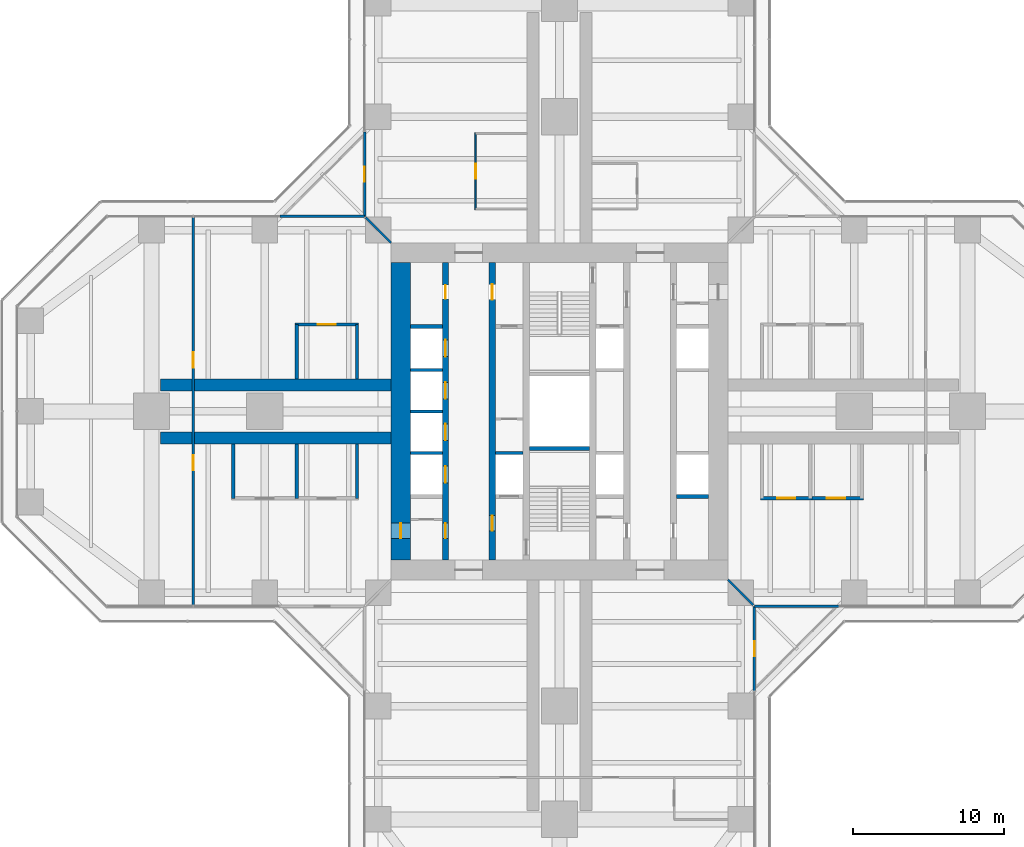
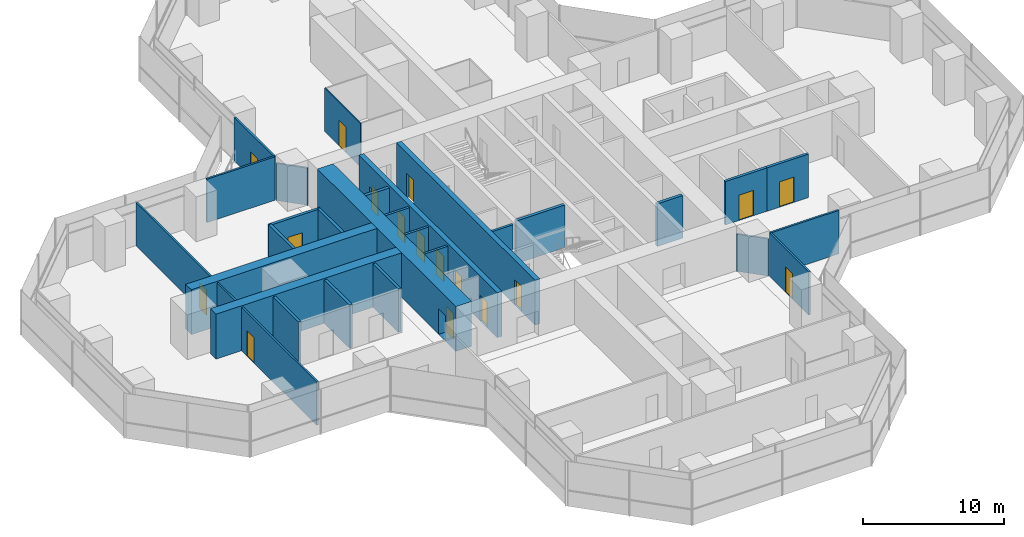
# One storey, part 18 of 22: 28 walls, 17 doors, 17 openings.
"""IFC4 building model written with IfcOpenShell, lengths in metres."""

from ifc_helpers import new_model, si_unit, direction, frame, frame_2d, origin, place, context, subcontext, project, spatial, rectangle, extrude, material, layer, layer_set, type_object, element, fill, save


model = new_model("IFC4")

# Units and contexts
model_context = context("Model", 3, precision=1e-05, world=origin(), true_north=direction((0.0, 1.0)))
body_context = subcontext(model_context, "Body", "Model", "MODEL_VIEW")
ifc_project = project(units=[si_unit("LENGTHUNIT", "METRE"), si_unit("AREAUNIT", "SQUARE_METRE"), si_unit("VOLUMEUNIT", "CUBIC_METRE"), si_unit("PLANEANGLEUNIT", "RADIAN"), si_unit("MASSUNIT", "GRAM", prefix="KILO")], contexts=[model_context])

# Site, building, storey
site_placement = place(None, origin())
site = spatial("IfcSite", under=ifc_project, at=site_placement, CompositionType="ELEMENT")
building_placement = place(site_placement, origin())
building = spatial("IfcBuilding", under=site, at=building_placement, Name="Mizan Broadcast Tower", CompositionType="ELEMENT")
storey_placement = place(building_placement, frame((0.0, 0.0, 55.199951171875)))
storey = spatial("IfcBuildingStorey", under=building, at=storey_placement, Name="L10", CompositionType="ELEMENT", Elevation=55.199951171875)

# Wall, openings, doors
ifc_material_1 = material(Name="Concrete C70/85", Category="concrete")
ifc_layer_1 = layer(ifc_material_1, 0.39990234375)
ifc_layer_set_1 = layer_set([ifc_layer_1], Name="Concrete C70/85")
wall_type_1 = type_object("IfcWallType", Name="CORE INTERNAL WALL 400", PredefinedType="SHEAR", material=ifc_layer_set_1)
wall_1_placement = place(storey_placement, frame((-7.550048828125, -9.85009765625, 0.0), z_axis=(0.0, 0.0, 1.0), x_axis=(0.0, 1.0, 0.0)))
wall_1 = element("IfcWall", 1, at=wall_1_placement, inside=storey, type_object=wall_type_1, Name="Core wall CORE/XW1", PredefinedType="SHEAR", context=body_context, shape_type="SweptSolid", body=[
    extrude(rectangle(XDim=19.7001953125, YDim=0.39990234375, at=frame_2d((9.85009765625, 0.0))), origin(), (0.0, 0.0, 1.0), 3.900146484375),
])
opening_1_placement = place(wall_1_placement, frame((1.449951171875, 0.0, 0.0)))
opening_1 = element("IfcOpeningElement", 2, at=opening_1_placement, cuts=wall_1, Name="Opening D10F", PredefinedType="OPENING", context=body_context, shape_type="SweptSolid", body=[
    extrude(rectangle(XDim=1.0, YDim=2.199951171875, at=frame_2d((0.5, 1.10009765625))), frame((0.0, 0.2099609375, 0.0), z_axis=(0.0, -1.0, 0.0), x_axis=(1.0, 0.0, 0.0)), (0.0, 0.0, 1.0), 0.419921875),
])
opening_2_placement = place(wall_1_placement, frame((17.300048828125, 0.0, 0.0)))
opening_2 = element("IfcOpeningElement", 3, at=opening_2_placement, cuts=wall_1, Name="Opening D09", PredefinedType="OPENING", context=body_context, shape_type="SweptSolid", body=[
    extrude(rectangle(XDim=0.89990234375, YDim=2.10009765625, at=frame_2d((0.449951171875, 1.050048828125))), frame((0.0, 0.2099609375, 0.0), z_axis=(0.0, -1.0, 0.0), x_axis=(1.0, 0.0, 0.0)), (0.0, 0.0, 1.0), 0.419921875),
])
opening_3_placement = place(wall_1_placement, frame((5.125, 0.0, 0.0)))
opening_3 = element("IfcOpeningElement", 4, at=opening_3_placement, cuts=wall_1, Name="Opening LD", PredefinedType="OPENING", context=body_context, shape_type="SweptSolid", body=[
    extrude(rectangle(XDim=1.10009765625, YDim=2.199951171875, at=frame_2d((0.550048828125, 1.10009765625))), frame((0.0, 0.2099609375, 0.0), z_axis=(0.0, -1.0, 0.0), x_axis=(1.0, 0.0, 0.0)), (0.0, 0.0, 1.0), 0.419921875),
])
opening_4_placement = place(wall_1_placement, frame((7.925048828125, 0.0, 0.0)))
opening_4 = element("IfcOpeningElement", 5, at=opening_4_placement, cuts=wall_1, Name="Opening LD", PredefinedType="OPENING", context=body_context, shape_type="SweptSolid", body=[
    extrude(rectangle(XDim=1.10009765625, YDim=2.199951171875, at=frame_2d((0.550048828125, 1.10009765625))), frame((0.0, 0.2099609375, 0.0), z_axis=(0.0, -1.0, 0.0), x_axis=(1.0, 0.0, 0.0)), (0.0, 0.0, 1.0), 0.419921875),
])
opening_5_placement = place(wall_1_placement, frame((10.675048828125, 0.0, 0.0)))
opening_5 = element("IfcOpeningElement", 6, at=opening_5_placement, cuts=wall_1, Name="Opening LD", PredefinedType="OPENING", context=body_context, shape_type="SweptSolid", body=[
    extrude(rectangle(XDim=1.10009765625, YDim=2.199951171875, at=frame_2d((0.550048828125, 1.10009765625))), frame((0.0, 0.2099609375, 0.0), z_axis=(0.0, -1.0, 0.0), x_axis=(1.0, 0.0, 0.0)), (0.0, 0.0, 1.0), 0.419921875),
])
opening_6_placement = place(wall_1_placement, frame((13.47509765625, 0.0, 0.0)))
opening_6 = element("IfcOpeningElement", 7, at=opening_6_placement, cuts=wall_1, Name="Opening LD", PredefinedType="OPENING", context=body_context, shape_type="SweptSolid", body=[
    extrude(rectangle(XDim=1.10009765625, YDim=2.199951171875, at=frame_2d((0.550048828125, 1.10009765625))), frame((0.0, 0.2099609375, 0.0), z_axis=(0.0, -1.0, 0.0), x_axis=(1.0, 0.0, 0.0)), (0.0, 0.0, 1.0), 0.419921875),
])
ifc_material_2 = material(Name="Steel door leaf in steel frame", Category="steel")
door_type_1 = type_object("IfcDoorType", Name="FIRE DOOR 1000 FD90", OperationType="SINGLE_SWING_LEFT", PredefinedType="DOOR", material=ifc_material_2)
door_1_placement = place(opening_1_placement, origin())
door_1 = element("IfcDoor", 8, at=door_1_placement, inside=storey, type_object=door_type_1, Name="West core passage door", OperationType="SINGLE_SWING_LEFT", OverallHeight=2.199951171875, OverallWidth=1.0, PredefinedType="DOOR", context=body_context, shape_type="SweptSolid", body=[
    extrude(rectangle(XDim=1.0, YDim=2.199951171875, at=frame_2d((0.5, 1.10009765625))), frame((0.0, 0.02490234375, 0.0), z_axis=(0.0, -1.0, 0.0), x_axis=(1.0, 0.0, 0.0)), (0.0, 0.0, 1.0), 0.050048828125),
])
fill(opening_1, door_1)
ifc_material_3 = material(Name="Steel door leaf in steel frame", Category="steel")
door_type_2 = type_object("IfcDoorType", Name="LIFT LANDING DOOR 1100", OperationType="SLIDING_TO_LEFT", PredefinedType="DOOR", material=ifc_material_3)
door_2_placement = place(opening_3_placement, origin())
door_2 = element("IfcDoor", 9, at=door_2_placement, inside=storey, type_object=door_type_2, Name="Landing door LA1", OperationType="SLIDING_TO_LEFT", OverallHeight=2.199951171875, OverallWidth=1.10009765625, PredefinedType="DOOR", context=body_context, shape_type="SweptSolid", body=[
    extrude(rectangle(XDim=1.10009765625, YDim=2.199951171875, at=frame_2d((0.550048828125, 1.10009765625))), frame((0.0, 0.02490234375, 0.0), z_axis=(0.0, -1.0, 0.0), x_axis=(1.0, 0.0, 0.0)), (0.0, 0.0, 1.0), 0.050048828125),
])
fill(opening_3, door_2)
door_3_placement = place(opening_4_placement, origin())
door_3 = element("IfcDoor", 10, at=door_3_placement, inside=storey, type_object=door_type_2, Name="Landing door LA2", OperationType="SLIDING_TO_LEFT", OverallHeight=2.199951171875, OverallWidth=1.10009765625, PredefinedType="DOOR", context=body_context, shape_type="SweptSolid", body=[
    extrude(rectangle(XDim=1.10009765625, YDim=2.199951171875, at=frame_2d((0.550048828125, 1.10009765625))), frame((0.0, 0.02490234375, 0.0), z_axis=(0.0, -1.0, 0.0), x_axis=(1.0, 0.0, 0.0)), (0.0, 0.0, 1.0), 0.050048828125),
])
fill(opening_4, door_3)
door_4_placement = place(opening_5_placement, origin())
door_4 = element("IfcDoor", 11, at=door_4_placement, inside=storey, type_object=door_type_2, Name="Landing door LA3", OperationType="SLIDING_TO_LEFT", OverallHeight=2.199951171875, OverallWidth=1.10009765625, PredefinedType="DOOR", context=body_context, shape_type="SweptSolid", body=[
    extrude(rectangle(XDim=1.10009765625, YDim=2.199951171875, at=frame_2d((0.550048828125, 1.10009765625))), frame((0.0, 0.02490234375, 0.0), z_axis=(0.0, -1.0, 0.0), x_axis=(1.0, 0.0, 0.0)), (0.0, 0.0, 1.0), 0.050048828125),
])
fill(opening_5, door_4)
door_5_placement = place(opening_6_placement, origin())
door_5 = element("IfcDoor", 12, at=door_5_placement, inside=storey, type_object=door_type_2, Name="Landing door LA4", OperationType="SLIDING_TO_LEFT", OverallHeight=2.199951171875, OverallWidth=1.10009765625, PredefinedType="DOOR", context=body_context, shape_type="SweptSolid", body=[
    extrude(rectangle(XDim=1.10009765625, YDim=2.199951171875, at=frame_2d((0.550048828125, 1.10009765625))), frame((0.0, 0.02490234375, 0.0), z_axis=(0.0, -1.0, 0.0), x_axis=(1.0, 0.0, 0.0)), (0.0, 0.0, 1.0), 0.050048828125),
])
fill(opening_6, door_5)
ifc_material_4 = material(Name="Timber door leaf in aluminium frame", Category="wood")
door_type_3 = type_object("IfcDoorType", Name="TOILET DOOR 900", OperationType="SINGLE_SWING_LEFT", PredefinedType="DOOR", material=ifc_material_4)
door_6_placement = place(opening_2_placement, origin())
door_6 = element("IfcDoor", 13, at=door_6_placement, inside=storey, type_object=door_type_3, Name="Male WC door", OperationType="SINGLE_SWING_RIGHT", OverallHeight=2.10009765625, OverallWidth=0.89990234375, PredefinedType="DOOR", context=body_context, shape_type="SweptSolid", body=[
    extrude(rectangle(XDim=0.89990234375, YDim=2.10009765625, at=frame_2d((0.449951171875, 1.050048828125))), frame((0.0, 0.02490234375, 0.0), z_axis=(0.0, -1.0, 0.0), x_axis=(1.0, 0.0, 0.0)), (0.0, 0.0, 1.0), 0.050048828125),
])
fill(opening_2, door_6)

wall_2_placement = place(storey_placement, frame((-4.449951171875, -9.85009765625, 0.0), z_axis=(0.0, 0.0, 1.0), x_axis=(0.0, 1.0, 0.0)))
wall_2 = element("IfcWall", 14, at=wall_2_placement, inside=storey, type_object=wall_type_1, Name="Core wall CORE/XWH", PredefinedType="SHEAR", context=body_context, shape_type="SweptSolid", body=[
    extrude(rectangle(XDim=19.7001953125, YDim=0.39990234375, at=frame_2d((9.85009765625, 0.0))), origin(), (0.0, 0.0, 1.0), 3.900146484375),
])
opening_7_placement = place(wall_2_placement, frame((1.949951171875, 0.0, 0.0)))
opening_7 = element("IfcOpeningElement", 15, at=opening_7_placement, cuts=wall_2, Name="Opening D10F", PredefinedType="OPENING", context=body_context, shape_type="SweptSolid", body=[
    extrude(rectangle(XDim=1.0, YDim=2.199951171875, at=frame_2d((0.5, 1.10009765625))), frame((0.0, 0.2099609375, 0.0), z_axis=(0.0, -1.0, 0.0), x_axis=(1.0, 0.0, 0.0)), (0.0, 0.0, 1.0), 0.419921875),
])
opening_8_placement = place(wall_2_placement, frame((17.25, 0.0, 0.0)))
opening_8 = element("IfcOpeningElement", 16, at=opening_8_placement, cuts=wall_2, Name="Opening D10A", PredefinedType="OPENING", context=body_context, shape_type="SweptSolid", body=[
    extrude(rectangle(XDim=1.0, YDim=2.10009765625, at=frame_2d((0.5, 1.050048828125))), frame((0.0, 0.2099609375, 0.0), z_axis=(0.0, -1.0, 0.0), x_axis=(1.0, 0.0, 0.0)), (0.0, 0.0, 1.0), 0.419921875),
])
ifc_material_5 = material(Name="Timber door leaf in aluminium frame", Category="wood")
door_type_4 = type_object("IfcDoorType", Name="ACCESSIBLE WC DOOR 1000", OperationType="SLIDING_TO_LEFT", PredefinedType="DOOR", material=ifc_material_5)
door_7_placement = place(opening_8_placement, origin())
door_7 = element("IfcDoor", 17, at=door_7_placement, inside=storey, type_object=door_type_4, Name="Accessible WC door", OperationType="SLIDING_TO_LEFT", OverallHeight=2.10009765625, OverallWidth=1.0, PredefinedType="DOOR", context=body_context, shape_type="SweptSolid", body=[
    extrude(rectangle(XDim=1.0, YDim=2.10009765625, at=frame_2d((0.5, 1.050048828125))), frame((0.0, 0.02490234375, 0.0), z_axis=(0.0, -1.0, 0.0), x_axis=(1.0, 0.0, 0.0)), (0.0, 0.0, 1.0), 0.050048828125),
])
fill(opening_8, door_7)
door_8_placement = place(opening_7_placement, origin())
door_8 = element("IfcDoor", 18, at=door_8_placement, inside=storey, type_object=door_type_1, Name="Firefighting lobby A door", OperationType="SINGLE_SWING_LEFT", OverallHeight=2.199951171875, OverallWidth=1.0, PredefinedType="DOOR", context=body_context, shape_type="SweptSolid", body=[
    extrude(rectangle(XDim=1.0, YDim=2.199951171875, at=frame_2d((0.5, 1.10009765625))), frame((0.0, 0.02490234375, 0.0), z_axis=(0.0, -1.0, 0.0), x_axis=(1.0, 0.0, 0.0)), (0.0, 0.0, 1.0), 0.050048828125),
])
fill(opening_7, door_8)

# Wall, opening, door
ifc_material_6 = material(Name="Concrete C70/85", Category="concrete")
ifc_layer_2 = layer(ifc_material_6, 1.300048828125)
ifc_layer_set_2 = layer_set([ifc_layer_2], Name="Concrete C70/85")
wall_type_2 = type_object("IfcWallType", Name="CORE WALL 1300", PredefinedType="SHEAR", material=ifc_layer_set_2)
wall_3_placement = place(storey_placement, frame((-10.5, 9.85009765625, 0.0), z_axis=(0.0, 0.0, 1.0), x_axis=(0.0, -1.0, 0.0)))
wall_3 = element("IfcWall", 19, at=wall_3_placement, inside=storey, type_object=wall_type_2, Name="Core wall W L10", PredefinedType="SHEAR", context=body_context, shape_type="SweptSolid", body=[
    extrude(rectangle(XDim=19.7001953125, YDim=1.300048828125, at=frame_2d((9.85009765625, 0.0))), origin(), (0.0, 0.0, 1.0), 3.900146484375),
])
opening_9_placement = place(wall_3_placement, frame((17.25, 0.0, 0.0)))
opening_9 = element("IfcOpeningElement", 20, at=opening_9_placement, cuts=wall_3, Name="Opening D10F", PredefinedType="OPENING", context=body_context, shape_type="SweptSolid", body=[
    extrude(rectangle(XDim=1.0, YDim=2.199951171875, at=frame_2d((0.5, 1.10009765625))), frame((0.0, 0.659912109375, 0.0), z_axis=(0.0, -1.0, 0.0), x_axis=(1.0, 0.0, 0.0)), (0.0, 0.0, 1.0), 1.320068359375),
])
door_9_placement = place(opening_9_placement, origin())
door_9 = element("IfcDoor", 21, at=door_9_placement, inside=storey, type_object=door_type_1, Name="West core passage arm door", OperationType="SINGLE_SWING_RIGHT", OverallHeight=2.199951171875, OverallWidth=1.0, PredefinedType="DOOR", context=body_context, shape_type="SweptSolid", body=[
    extrude(rectangle(XDim=1.0, YDim=2.199951171875, at=frame_2d((0.5, 1.10009765625))), frame((0.0, 0.02490234375, 0.0), z_axis=(0.0, -1.0, 0.0), x_axis=(1.0, 0.0, 0.0)), (0.0, 0.0, 1.0), 0.050048828125),
])
fill(opening_9, door_9)

# Wall
ifc_material_7 = material(Name="Aluminium framed glazed screen", Category="aluminium")
ifc_layer_3 = layer(ifc_material_7, 0.159912109375)
ifc_layer_set_3 = layer_set([ifc_layer_3], Name="Aluminium framed glazed screen")
wall_type_3 = type_object("IfcWallType", Name="GLAZED SCREEN WALL 160", PredefinedType="SOLIDWALL", material=ifc_layer_set_3)
wall_4_placement = place(storey_placement, frame((12.89990234375, -12.89990234375, 0.0), z_axis=(0.0, 0.0, 1.0), x_axis=(1.0, 0.0, 0.0)))
element("IfcWall", 22, at=wall_4_placement, inside=storey, type_object=wall_type_3, Name="Winter garden screen L10 E", PredefinedType="SOLIDWALL", context=body_context, shape_type="SweptSolid", body=[
    extrude(rectangle(XDim=5.60009765625, YDim=0.159912109375, at=frame_2d((2.800048828125, 0.0))), origin(), (0.0, 0.0, 1.0), 3.77001953125),
])

# Wall, opening, door
wall_5_placement = place(storey_placement, frame((-12.89990234375, 18.5, 0.0), z_axis=(0.0, 0.0, 1.0), x_axis=(0.0, -1.0, 0.0)))
wall_5 = element("IfcWall", 23, at=wall_5_placement, inside=storey, type_object=wall_type_3, Name="Winter garden screen L10 N", PredefinedType="SOLIDWALL", context=body_context, shape_type="SweptSolid", body=[
    extrude(rectangle(XDim=5.60009765625, YDim=0.159912109375, at=frame_2d((2.800048828125, 0.0))), origin(), (0.0, 0.0, 1.0), 3.77001953125),
])
opening_10_placement = place(wall_5_placement, frame((2.300048828125, 0.0, 0.0)))
opening_10 = element("IfcOpeningElement", 24, at=opening_10_placement, cuts=wall_5, Name="Opening WGD", PredefinedType="OPENING", context=body_context, shape_type="SweptSolid", body=[
    extrude(rectangle(XDim=1.0, YDim=2.199951171875, at=frame_2d((0.5, 1.10009765625))), frame((0.0, 0.08984375, 0.0), z_axis=(0.0, -1.0, 0.0), x_axis=(1.0, 0.0, 0.0)), (0.0, 0.0, 1.0), 0.179931640625),
])
ifc_material_8 = material(Name="Aluminium framed glazed door", Category="aluminium")
door_type_5 = type_object("IfcDoorType", Name="WINTER GARDEN DOOR 1000 GLAZED", OperationType="SINGLE_SWING_LEFT", PredefinedType="DOOR", material=ifc_material_8)
door_10_placement = place(opening_10_placement, origin())
door_10 = element("IfcDoor", 25, at=door_10_placement, inside=storey, type_object=door_type_5, Name="Winter garden door L10 N", OperationType="SINGLE_SWING_RIGHT", OverallHeight=2.199951171875, OverallWidth=1.0, PredefinedType="DOOR", context=body_context, shape_type="SweptSolid", body=[
    extrude(rectangle(XDim=1.0, YDim=2.199951171875, at=frame_2d((0.5, 1.10009765625))), frame((0.0, 0.02490234375, 0.0), z_axis=(0.0, -1.0, 0.0), x_axis=(1.0, 0.0, 0.0)), (0.0, 0.0, 1.0), 0.050048828125),
])
fill(opening_10, door_10)

# Wall
wall_6_placement = place(storey_placement, frame((-12.89990234375, 12.89990234375, 0.0), z_axis=(0.0, 0.0, 1.0), x_axis=(-1.0, 0.0, 0.0)))
element("IfcWall", 26, at=wall_6_placement, inside=storey, type_object=wall_type_3, Name="Winter garden screen L10 W", PredefinedType="SOLIDWALL", context=body_context, shape_type="SweptSolid", body=[
    extrude(rectangle(XDim=5.60009765625, YDim=0.159912109375, at=frame_2d((2.800048828125, 0.0))), origin(), (0.0, 0.0, 1.0), 3.77001953125),
])

# Wall, opening, door
wall_7_placement = place(storey_placement, frame((12.89990234375, -18.5, 0.0), z_axis=(0.0, 0.0, 1.0), x_axis=(0.0, 1.0, 0.0)))
wall_7 = element("IfcWall", 27, at=wall_7_placement, inside=storey, type_object=wall_type_3, Name="Winter garden screen L10 S", PredefinedType="SOLIDWALL", context=body_context, shape_type="SweptSolid", body=[
    extrude(rectangle(XDim=5.60009765625, YDim=0.159912109375, at=frame_2d((2.800048828125, 0.0))), origin(), (0.0, 0.0, 1.0), 3.77001953125),
])
opening_11_placement = place(wall_7_placement, frame((2.300048828125, 0.0, 0.0)))
opening_11 = element("IfcOpeningElement", 28, at=opening_11_placement, cuts=wall_7, Name="Opening WGD", PredefinedType="OPENING", context=body_context, shape_type="SweptSolid", body=[
    extrude(rectangle(XDim=1.0, YDim=2.199951171875, at=frame_2d((0.5, 1.10009765625))), frame((0.0, 0.08984375, 0.0), z_axis=(0.0, -1.0, 0.0), x_axis=(1.0, 0.0, 0.0)), (0.0, 0.0, 1.0), 0.179931640625),
])
door_11_placement = place(opening_11_placement, origin())
door_11 = element("IfcDoor", 29, at=door_11_placement, inside=storey, type_object=door_type_5, Name="Winter garden door L10 S", OperationType="SINGLE_SWING_RIGHT", OverallHeight=2.199951171875, OverallWidth=1.0, PredefinedType="DOOR", context=body_context, shape_type="SweptSolid", body=[
    extrude(rectangle(XDim=1.0, YDim=2.199951171875, at=frame_2d((0.5, 1.10009765625))), frame((0.0, 0.02490234375, 0.0), z_axis=(0.0, -1.0, 0.0), x_axis=(1.0, 0.0, 0.0)), (0.0, 0.0, 1.0), 0.050048828125),
])
fill(opening_11, door_11)

# Walls
ifc_material_9 = material(Name="Concrete blockwork", Category="masonry")
ifc_layer_4 = layer(ifc_material_9, 0.199951171875)
ifc_layer_set_4 = layer_set([ifc_layer_4], Name="Concrete blockwork")
wall_type_4 = type_object("IfcWallType", Name="LIFT SHAFT WALL 200", PredefinedType="SOLIDWALL", material=ifc_layer_set_4)
wall_8_placement = place(storey_placement, frame((-9.85009765625, -2.75, 0.0), z_axis=(0.0, 0.0, 1.0), x_axis=(1.0, 0.0, 0.0)))
element("IfcWall", 30, at=wall_8_placement, inside=storey, type_object=wall_type_4, Name="Lift shaft wall CORE/SW1-1", PredefinedType="SOLIDWALL", context=body_context, shape_type="SweptSolid", body=[
    extrude(rectangle(XDim=2.10009765625, YDim=0.199951171875, at=frame_2d((1.050048828125, 0.0))), origin(), (0.0, 0.0, 1.0), 3.699951171875),
])
wall_9_placement = place(storey_placement, frame((-4.25, -2.75, 0.0), z_axis=(0.0, 0.0, 1.0), x_axis=(1.0, 0.0, 0.0)))
element("IfcWall", 31, at=wall_9_placement, inside=storey, type_object=wall_type_4, Name="Lift shaft wall CORE/SW2-1", PredefinedType="SOLIDWALL", context=body_context, shape_type="SweptSolid", body=[
    extrude(rectangle(XDim=1.85009765625, YDim=0.199951171875, at=frame_2d((0.925048828125, 0.0))), origin(), (0.0, 0.0, 1.0), 3.699951171875),
])
for number, where, z_axis, x_axis, name in (
    (32, (-9.85009765625, 0.0, 0.0), (0.0, 0.0, 1.0), (1.0, 0.0, 0.0), "Lift shaft wall CORE/SW1-2"),
    (33, (-9.85009765625, 2.75, 0.0), (0.0, 0.0, 1.0), (1.0, 0.0, 0.0), "Lift shaft wall CORE/SW1-3"),
):
    element("IfcWall", number, at=place(storey_placement, frame(where, z_axis=z_axis, x_axis=x_axis)), inside=storey, type_object=wall_type_4, Name=name, PredefinedType="SOLIDWALL", context=body_context, shape_type="SweptSolid", body=[
        extrude(rectangle(XDim=2.10009765625, YDim=0.199951171875, at=frame_2d((1.050048828125, 0.0))), origin(), (0.0, 0.0, 1.0), 3.699951171875),
    ])
ifc_material_10 = material(Name="Concrete blockwork", Category="masonry")
ifc_layer_5 = layer(ifc_material_10, 0.25)
ifc_layer_set_5 = layer_set([ifc_layer_5], Name="Concrete blockwork")
wall_type_5 = type_object("IfcWallType", Name="LOBBY ENCLOSURE WALL 250", PredefinedType="SOLIDWALL", material=ifc_layer_set_5)
for number, where, z_axis, x_axis, name in (
    (34, (-9.85009765625, 5.625, 0.0), (0.0, 0.0, 1.0), (1.0, 0.0, 0.0), "Lobby enclosure wall CORE/BW1N"),
    (35, (7.75, -5.625, 0.0), (0.0, 0.0, 1.0), (1.0, 0.0, 0.0), "Lobby enclosure wall CORE/BE1S"),
):
    element("IfcWall", number, at=place(storey_placement, frame(where, z_axis=z_axis, x_axis=x_axis)), inside=storey, type_object=wall_type_5, Name=name, PredefinedType="SOLIDWALL", context=body_context, shape_type="SweptSolid", body=[
        extrude(rectangle(XDim=2.10009765625, YDim=0.25, at=frame_2d((1.050048828125, 0.0))), origin(), (0.0, 0.0, 1.0), 3.699951171875),
    ])
wall_10_placement = place(storey_placement, frame((-2.0, -2.449951171875, 0.0), z_axis=(0.0, 0.0, 1.0), x_axis=(1.0, 0.0, 0.0)))
element("IfcWall", 36, at=wall_10_placement, inside=storey, type_object=wall_type_5, Name="Lobby enclosure wall CORE/STA", PredefinedType="SOLIDWALL", context=body_context, shape_type="SweptSolid", body=[
    extrude(rectangle(XDim=4.0, YDim=0.25, at=frame_2d((2.0, 0.0))), origin(), (0.0, 0.0, 1.0), 3.699951171875),
])

# Wall, openings, doors
ifc_material_11 = material(Name="Gypsum board on steel studs", Category="steel")
ifc_layer_6 = layer(ifc_material_11, 0.14990234375)
ifc_layer_set_6 = layer_set([ifc_layer_6], Name="Gypsum board on steel studs")
wall_type_6 = type_object("IfcWallType", Name="PARTITION 150", PredefinedType="PARTITIONING", material=ifc_layer_set_6)
wall_11_placement = place(storey_placement, frame((-24.22900390625, 12.820068359375, 0.0), z_axis=(0.0, 0.0, 1.0), x_axis=(0.0, -1.0, 0.0)))
wall_11 = element("IfcWall", 37, at=wall_11_placement, inside=storey, type_object=wall_type_6, Name="Partition PT/WX1", PredefinedType="PARTITIONING", context=body_context, shape_type="SweptSolid", body=[
    extrude(rectangle(XDim=25.64013671875, YDim=0.14990234375, at=frame_2d((12.820068359375, 0.0))), origin(), (0.0, 0.0, 1.0), 3.77001953125),
])
opening_12_placement = place(wall_11_placement, frame((15.719970703125, 0.0, 0.0)))
opening_12 = element("IfcOpeningElement", 38, at=opening_12_placement, cuts=wall_11, Name="Opening D10", PredefinedType="OPENING", context=body_context, shape_type="SweptSolid", body=[
    extrude(rectangle(XDim=1.0, YDim=2.199951171875, at=frame_2d((0.5, 1.10009765625))), frame((0.0, 0.0849609375, 0.0), z_axis=(0.0, -1.0, 0.0), x_axis=(1.0, 0.0, 0.0)), (0.0, 0.0, 1.0), 0.169921875),
])
opening_13_placement = place(wall_11_placement, frame((8.919921875, 0.0, 0.0)))
opening_13 = element("IfcOpeningElement", 39, at=opening_13_placement, cuts=wall_11, Name="Opening D10", PredefinedType="OPENING", context=body_context, shape_type="SweptSolid", body=[
    extrude(rectangle(XDim=1.0, YDim=2.199951171875, at=frame_2d((0.5, 1.10009765625))), frame((0.0, 0.0849609375, 0.0), z_axis=(0.0, -1.0, 0.0), x_axis=(1.0, 0.0, 0.0)), (0.0, 0.0, 1.0), 0.169921875),
])
ifc_material_12 = material(Name="Timber door leaf in aluminium frame", Category="wood")
door_type_6 = type_object("IfcDoorType", Name="ROOM DOOR 1000", OperationType="SINGLE_SWING_LEFT", PredefinedType="DOOR", material=ifc_material_12)
door_12_placement = place(opening_12_placement, origin())
door_12 = element("IfcDoor", 40, at=door_12_placement, inside=storey, type_object=door_type_6, Name="Open office door", OperationType="SINGLE_SWING_RIGHT", OverallHeight=2.199951171875, OverallWidth=1.0, PredefinedType="DOOR", context=body_context, shape_type="SweptSolid", body=[
    extrude(rectangle(XDim=1.0, YDim=2.199951171875, at=frame_2d((0.5, 1.10009765625))), frame((0.0, 0.02490234375, 0.0), z_axis=(0.0, -1.0, 0.0), x_axis=(1.0, 0.0, 0.0)), (0.0, 0.0, 1.0), 0.050048828125),
])
fill(opening_12, door_12)
door_13_placement = place(opening_13_placement, origin())
door_13 = element("IfcDoor", 41, at=door_13_placement, inside=storey, type_object=door_type_6, Name="Open office door", OperationType="SINGLE_SWING_LEFT", OverallHeight=2.199951171875, OverallWidth=1.0, PredefinedType="DOOR", context=body_context, shape_type="SweptSolid", body=[
    extrude(rectangle(XDim=1.0, YDim=2.199951171875, at=frame_2d((0.5, 1.10009765625))), frame((0.0, 0.02490234375, 0.0), z_axis=(0.0, -1.0, 0.0), x_axis=(1.0, 0.0, 0.0)), (0.0, 0.0, 1.0), 0.050048828125),
])
fill(opening_13, door_13)

# Walls
for number, where, z_axis, x_axis, name in (
    (42, (-11.14990234375, 11.14990234375, 0.0), (0.0, 0.0, 1.0), (-0.707106781187, 0.707106781187, 0.0), "Partition PT/DGWN"),
    (43, (11.14990234375, -11.14990234375, 0.0), (0.0, 0.0, 1.0), (0.707106781187, -0.707106781187, 0.0), "Partition PT/DGES"),
):
    element("IfcWall", number, at=place(storey_placement, frame(where, z_axis=z_axis, x_axis=x_axis)), inside=storey, type_object=wall_type_6, Name=name, PredefinedType="PARTITIONING", context=body_context, shape_type="SweptSolid", body=[
        extrude(rectangle(XDim=2.362060546875, YDim=0.14990234375, at=frame_2d((1.18115234375, 0.0))), origin(), (0.0, 0.0, 1.0), 3.219970703125),
    ])

# Wall, opening, door
ifc_material_13 = material(Name="Twin steel stud acoustic partition, four layers of gypsum board", Category="steel")
ifc_layer_7 = layer(ifc_material_13, 0.22509765625)
ifc_layer_set_7 = layer_set([ifc_layer_7], Name="Twin steel stud acoustic partition, four layers of gypsum board")
wall_type_7 = type_object("IfcWallType", Name="PARTITION ACOUSTIC 225", PredefinedType="PARTITIONING", material=ifc_layer_set_7)
wall_12_placement = place(storey_placement, frame((13.28759765625, -5.75, 0.0), z_axis=(0.0, 0.0, 1.0), x_axis=(1.0, 0.0, 0.0)))
wall_12 = element("IfcWall", 44, at=wall_12_placement, inside=storey, type_object=wall_type_7, Name="Acoustic partition PT/EKN0f", PredefinedType="PARTITIONING", context=body_context, shape_type="SweptSolid", body=[
    extrude(rectangle(XDim=3.4248046875, YDim=0.22509765625, at=frame_2d((1.71240234375, 0.0))), origin(), (0.0, 0.0, 1.0), 3.77001953125),
])
opening_14_placement = place(wall_12_placement, frame((1.112548828125, 0.0, 0.0)))
opening_14 = element("IfcOpeningElement", 45, at=opening_14_placement, cuts=wall_12, Name="Opening D12A", PredefinedType="OPENING", context=body_context, shape_type="SweptSolid", body=[
    extrude(rectangle(XDim=1.199951171875, YDim=2.199951171875, at=frame_2d((0.60009765625, 1.10009765625))), frame((0.0, 0.12255859375, 0.0), z_axis=(0.0, -1.0, 0.0), x_axis=(1.0, 0.0, 0.0)), (0.0, 0.0, 1.0), 0.2451171875),
])
ifc_material_14 = material(Name="Timber door leaf in aluminium frame", Category="wood")
door_type_7 = type_object("IfcDoorType", Name="ACOUSTIC DOOR 1200", OperationType="SINGLE_SWING_LEFT", PredefinedType="DOOR", material=ifc_material_14)
door_14_placement = place(opening_14_placement, origin())
door_14 = element("IfcDoor", 46, at=door_14_placement, inside=storey, type_object=door_type_7, Name="Edit suite door", OperationType="SINGLE_SWING_LEFT", OverallHeight=2.199951171875, OverallWidth=1.199951171875, PredefinedType="DOOR", context=body_context, shape_type="SweptSolid", body=[
    extrude(rectangle(XDim=1.199951171875, YDim=2.199951171875, at=frame_2d((0.60009765625, 1.10009765625))), frame((0.0, 0.02490234375, 0.0), z_axis=(0.0, -1.0, 0.0), x_axis=(1.0, 0.0, 0.0)), (0.0, 0.0, 1.0), 0.050048828125),
])
fill(opening_14, door_14)

wall_13_placement = place(storey_placement, frame((16.71240234375, -5.75, 0.0), z_axis=(0.0, 0.0, 1.0), x_axis=(1.0, 0.0, 0.0)))
wall_13 = element("IfcWall", 47, at=wall_13_placement, inside=storey, type_object=wall_type_7, Name="Acoustic partition PT/EKN1f", PredefinedType="PARTITIONING", context=body_context, shape_type="SweptSolid", body=[
    extrude(rectangle(XDim=3.400146484375, YDim=0.22509765625, at=frame_2d((1.7001953125, 0.0))), origin(), (0.0, 0.0, 1.0), 3.77001953125),
])
opening_15_placement = place(wall_13_placement, frame((0.987548828125, 0.0, 0.0)))
opening_15 = element("IfcOpeningElement", 48, at=opening_15_placement, cuts=wall_13, Name="Opening D12A", PredefinedType="OPENING", context=body_context, shape_type="SweptSolid", body=[
    extrude(rectangle(XDim=1.199951171875, YDim=2.199951171875, at=frame_2d((0.60009765625, 1.10009765625))), frame((0.0, 0.12255859375, 0.0), z_axis=(0.0, -1.0, 0.0), x_axis=(1.0, 0.0, 0.0)), (0.0, 0.0, 1.0), 0.2451171875),
])
door_15_placement = place(opening_15_placement, origin())
door_15 = element("IfcDoor", 49, at=door_15_placement, inside=storey, type_object=door_type_7, Name="Edit suite door", OperationType="SINGLE_SWING_LEFT", OverallHeight=2.199951171875, OverallWidth=1.199951171875, PredefinedType="DOOR", context=body_context, shape_type="SweptSolid", body=[
    extrude(rectangle(XDim=1.199951171875, YDim=2.199951171875, at=frame_2d((0.60009765625, 1.10009765625))), frame((0.0, 0.02490234375, 0.0), z_axis=(0.0, -1.0, 0.0), x_axis=(1.0, 0.0, 0.0)), (0.0, 0.0, 1.0), 0.050048828125),
])
fill(opening_15, door_15)

# Walls
for number, where, z_axis, x_axis, name in (
    (50, (-13.39990234375, -2.14990234375, 0.0), (0.0, 0.0, 1.0), (0.0, -1.0, 0.0), "Acoustic partition PT/WKP0a"),
    (51, (-17.39990234375, -2.14990234375, 0.0), (0.0, 0.0, 1.0), (0.0, -1.0, 0.0), "Acoustic partition PT/WKP0b"),
    (52, (-21.60009765625, -2.14990234375, 0.0), (0.0, 0.0, 1.0), (0.0, -1.0, 0.0), "Acoustic partition PT/WKP1b"),
    (53, (-13.39990234375, 2.14990234375, 0.0), (0.0, 0.0, 1.0), (0.0, 1.0, 0.0), "Acoustic partition PT/WKN0a"),
    (54, (-17.39990234375, 2.14990234375, 0.0), (0.0, 0.0, 1.0), (0.0, 1.0, 0.0), "Acoustic partition PT/WKN0b"),
):
    element("IfcWall", number, at=place(storey_placement, frame(where, z_axis=z_axis, x_axis=x_axis)), inside=storey, type_object=wall_type_7, Name=name, PredefinedType="PARTITIONING", context=body_context, shape_type="SweptSolid", body=[
        extrude(rectangle(XDim=3.60009765625, YDim=0.22509765625, at=frame_2d((1.800048828125, 0.0))), origin(), (0.0, 0.0, 1.0), 3.77001953125),
    ])

# Wall, opening, door
wall_14_placement = place(storey_placement, frame((-13.28759765625, 5.75, 0.0), z_axis=(0.0, 0.0, 1.0), x_axis=(-1.0, 0.0, 0.0)))
wall_14 = element("IfcWall", 55, at=wall_14_placement, inside=storey, type_object=wall_type_7, Name="Acoustic partition PT/WKN0f", PredefinedType="PARTITIONING", context=body_context, shape_type="SweptSolid", body=[
    extrude(rectangle(XDim=4.224853515625, YDim=0.22509765625, at=frame_2d((2.1123046875, 0.0))), origin(), (0.0, 0.0, 1.0), 3.77001953125),
])
opening_16_placement = place(wall_14_placement, frame((1.512451171875, 0.0, 0.0)))
opening_16 = element("IfcOpeningElement", 56, at=opening_16_placement, cuts=wall_14, Name="Opening D12A", PredefinedType="OPENING", context=body_context, shape_type="SweptSolid", body=[
    extrude(rectangle(XDim=1.199951171875, YDim=2.199951171875, at=frame_2d((0.60009765625, 1.10009765625))), frame((0.0, 0.12255859375, 0.0), z_axis=(0.0, -1.0, 0.0), x_axis=(1.0, 0.0, 0.0)), (0.0, 0.0, 1.0), 0.2451171875),
])
door_16_placement = place(opening_16_placement, origin())
door_16 = element("IfcDoor", 57, at=door_16_placement, inside=storey, type_object=door_type_7, Name="Audio dubbing suite door", OperationType="SINGLE_SWING_LEFT", OverallHeight=2.199951171875, OverallWidth=1.199951171875, PredefinedType="DOOR", context=body_context, shape_type="SweptSolid", body=[
    extrude(rectangle(XDim=1.199951171875, YDim=2.199951171875, at=frame_2d((0.60009765625, 1.10009765625))), frame((0.0, 0.02490234375, 0.0), z_axis=(0.0, -1.0, 0.0), x_axis=(1.0, 0.0, 0.0)), (0.0, 0.0, 1.0), 0.050048828125),
])
fill(opening_16, door_16)

ifc_material_15 = material(Name="Glazed aluminium partition on aluminium track", Category="aluminium")
ifc_layer_8 = layer(ifc_material_15, 0.10009765625)
ifc_layer_set_8 = layer_set([ifc_layer_8], Name="Glazed aluminium partition on aluminium track")
wall_type_8 = type_object("IfcWallType", Name="PARTITION GLAZED OFFICE FRONT 100", PredefinedType="PARTITIONING", material=ifc_layer_set_8)
wall_15_placement = place(storey_placement, frame((-5.550048828125, 13.35009765625, 0.0), z_axis=(0.0, 0.0, 1.0), x_axis=(0.0, 1.0, 0.0)))
wall_15 = element("IfcWall", 58, at=wall_15_placement, inside=storey, type_object=wall_type_8, Name="Glazed office front PT/NKP0f", PredefinedType="PARTITIONING", context=body_context, shape_type="SweptSolid", body=[
    extrude(rectangle(XDim=5.099853515625, YDim=0.10009765625, at=frame_2d((2.5498046875, 0.0))), origin(), (0.0, 0.0, 1.0), 3.77001953125),
])
opening_17_placement = place(wall_15_placement, frame((2.050048828125, 0.0, 0.0)))
opening_17 = element("IfcOpeningElement", 59, at=opening_17_placement, cuts=wall_15, Name="Opening D10O", PredefinedType="OPENING", context=body_context, shape_type="SweptSolid", body=[
    extrude(rectangle(XDim=1.0, YDim=2.199951171875, at=frame_2d((0.5, 1.10009765625))), frame((0.0, 0.06005859375, 0.0), z_axis=(0.0, -1.0, 0.0), x_axis=(1.0, 0.0, 0.0)), (0.0, 0.0, 1.0), 0.1201171875),
])
ifc_material_16 = material(Name="Timber door leaf in aluminium frame", Category="wood")
door_type_8 = type_object("IfcDoorType", Name="OFFICE DOOR 1000 GLAZED", OperationType="SINGLE_SWING_LEFT", PredefinedType="DOOR", material=ifc_material_16)
door_17_placement = place(opening_17_placement, origin())
door_17 = element("IfcDoor", 60, at=door_17_placement, inside=storey, type_object=door_type_8, Name="Machine room door", OperationType="SINGLE_SWING_LEFT", OverallHeight=2.199951171875, OverallWidth=1.0, PredefinedType="DOOR", context=body_context, shape_type="SweptSolid", body=[
    extrude(rectangle(XDim=1.0, YDim=2.199951171875, at=frame_2d((0.5, 1.10009765625))), frame((0.0, 0.02490234375, 0.0), z_axis=(0.0, -1.0, 0.0), x_axis=(1.0, 0.0, 0.0)), (0.0, 0.0, 1.0), 0.050048828125),
])
fill(opening_17, door_17)

# Walls
ifc_material_17 = material(Name="Concrete C70/85", Category="concrete")
ifc_layer_9 = layer(ifc_material_17, 0.800048828125)
ifc_layer_set_9 = layer_set([ifc_layer_9], Name="Concrete C70/85")
wall_type_9 = type_object("IfcWallType", Name="SPINE WALL 800", PredefinedType="SHEAR", material=ifc_layer_set_9)
for number, where, z_axis, x_axis, name in (
    (61, (-11.14990234375, 1.75, 0.0), (0.0, 0.0, 1.0), (-1.0, 0.0, 0.0), "Spine wall WR L10"),
    (62, (-11.14990234375, -1.75, 0.0), (0.0, 0.0, 1.0), (-1.0, 0.0, 0.0), "Spine wall WL L10"),
):
    element("IfcWall", number, at=place(storey_placement, frame(where, z_axis=z_axis, x_axis=x_axis)), inside=storey, type_object=wall_type_9, Name=name, PredefinedType="SHEAR", context=body_context, shape_type="SweptSolid", body=[
        extrude(rectangle(XDim=15.25, YDim=0.800048828125, at=frame_2d((7.625, 0.0))), origin(), (0.0, 0.0, 1.0), 3.900146484375),
    ])

save(model, "model.ifc")
